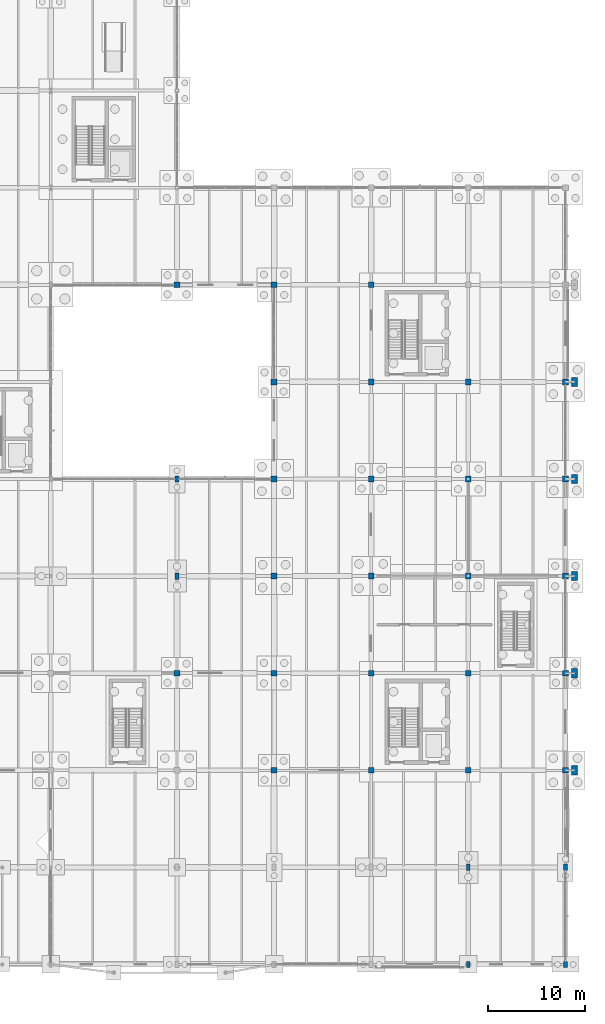
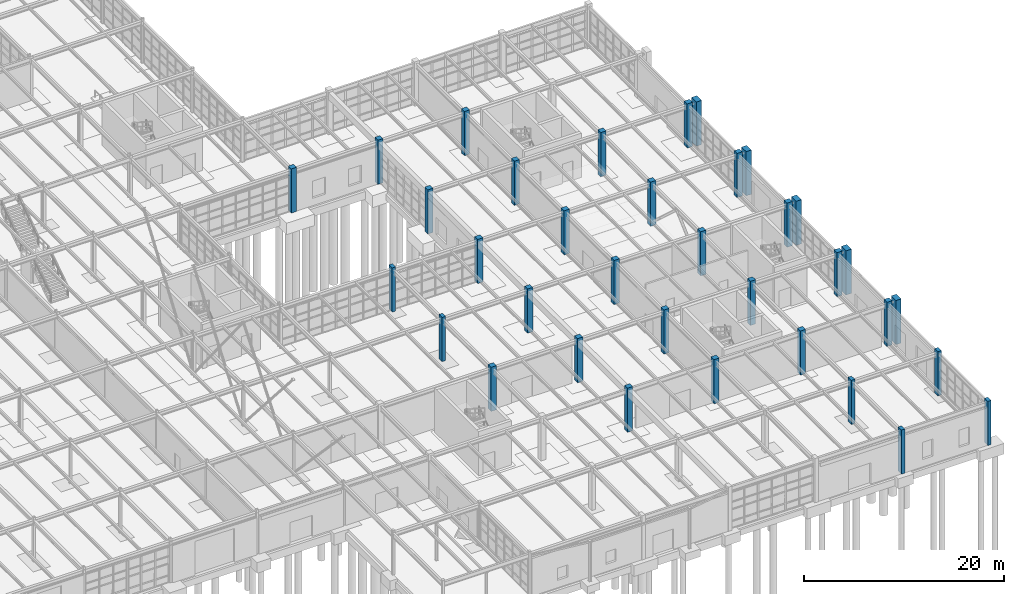
# One storey, part 27 of 145: 35 columns.
"""IFC4 building model written with IfcOpenShell, lengths in metres."""

from ifc_helpers import new_model, si_unit, direction, frame, origin, origin_2d, place, context, subcontext, project, spatial, rectangle, extrude, material, material_profile, profile_set, type_object, element, save


model = new_model("IFC4")

# Units and contexts
model_context = context("Model", 3, precision=1e-05, world=origin(), true_north=direction((0.0, 1.0)))
body_context = subcontext(model_context, "Body", "Model", "MODEL_VIEW")
ifc_project = project(units=[si_unit("LENGTHUNIT", "METRE"), si_unit("AREAUNIT", "SQUARE_METRE"), si_unit("VOLUMEUNIT", "CUBIC_METRE"), si_unit("PLANEANGLEUNIT", "RADIAN"), si_unit("MASSUNIT", "GRAM", prefix="KILO"), si_unit("THERMODYNAMICTEMPERATUREUNIT", "KELVIN"), si_unit("POWERUNIT", "WATT")], contexts=[model_context])

# Site, building, storey
site_placement = place(None, origin())
site = spatial("IfcSite", under=ifc_project, at=site_placement, CompositionType="ELEMENT")
building_placement = place(site_placement, origin())
building = spatial("IfcBuilding", under=site, at=building_placement, Name="Korenveer Ferry Terminal", CompositionType="ELEMENT")
storey_placement = place(building_placement, origin())
storey = spatial("IfcBuildingStorey", under=building, at=storey_placement, Name="L00", CompositionType="ELEMENT", Elevation=0.0)

# Columns
ifc_material_1 = material(Name="Concrete C45/55", Category="concrete")
ifc_material_profile_1 = material_profile(ifc_material_1, rectangle(XDim=0.39990234375, YDim=0.64990234375, at=origin_2d()), Name="RC 400x650")
ifc_profile_set_1 = profile_set([ifc_material_profile_1], Name="Concrete C45/55")
column_type_1 = type_object("IfcColumnType", Name="STR-COL-RC400X650", PredefinedType="COLUMN", material=ifc_profile_set_1)
for number, where, z_axis, x_axis, name in (
    (1, (136.0, 40.0, 0.0), (0.0, 0.0, 1.0), (1.0, 0.0, 0.0), "Column COL-L00-X136-Y40"),
    (2, (136.0, 50.0, 0.0), (0.0, 0.0, 1.0), (1.0, 0.0, 0.0), "Column COL-L00-X136-Y50"),
    (3, (166.0, 0.0, 0.0), (0.0, 0.0, 1.0), (1.0, 0.0, 0.0), "Column COL-L00-X166-Y0"),
    (4, (166.0, 10.0, 0.0), (0.0, 0.0, 1.0), (1.0, 0.0, 0.0), "Column COL-L00-X166-Y10"),
    (5, (176.0, 0.0, 0.0), (0.0, 0.0, 1.0), (1.0, 0.0, 0.0), "Column COL-L00-X176-Y0"),
    (6, (176.0, 10.0, 0.0), (0.0, 0.0, 1.0), (1.0, 0.0, 0.0), "Column COL-L00-X176-Y10"),
):
    element("IfcColumn", number, at=place(storey_placement, frame(where, z_axis=z_axis, x_axis=x_axis)), inside=storey, type_object=column_type_1, Name=name, PredefinedType="COLUMN", context=body_context, shape_type="SweptSolid", body=[
        extrude(rectangle(XDim=0.39990234375, YDim=0.64990234375, at=origin_2d()), origin(), (0.0, 0.0, 1.0), 5.39990234375),
    ])
ifc_material_profile_2 = material_profile(ifc_material_1, rectangle(XDim=0.60009765625, YDim=0.60009765625, at=origin_2d()), Name="RC 600x600")
ifc_profile_set_2 = profile_set([ifc_material_profile_2], Name="Concrete C45/55")
column_type_2 = type_object("IfcColumnType", Name="STR-COL-RC600", PredefinedType="COLUMN", material=ifc_profile_set_2)
for number, where, z_axis, x_axis, name in (
    (7, (136.0, 30.0, 0.0), (0.0, 0.0, 1.0), (1.0, 0.0, 0.0), "Column COL-L00-X136-Y30"),
    (8, (136.0, 70.0, 0.0), (0.0, 0.0, 1.0), (1.0, 0.0, 0.0), "Column COL-L00-X136-Y70"),
    (9, (146.0, 20.0, 0.0), (0.0, 0.0, 1.0), (1.0, 0.0, 0.0), "Column COL-L00-X146-Y20"),
    (10, (146.0, 30.0, 0.0), (0.0, 0.0, 1.0), (1.0, 0.0, 0.0), "Column COL-L00-X146-Y30"),
    (11, (146.0, 40.0, 0.0), (0.0, 0.0, 1.0), (1.0, 0.0, 0.0), "Column COL-L00-X146-Y40"),
    (12, (146.0, 50.0, 0.0), (0.0, 0.0, 1.0), (1.0, 0.0, 0.0), "Column COL-L00-X146-Y50"),
    (13, (146.0, 60.0, 0.0), (0.0, 0.0, 1.0), (1.0, 0.0, 0.0), "Column COL-L00-X146-Y60"),
    (14, (146.0, 70.0, 0.0), (0.0, 0.0, 1.0), (1.0, 0.0, 0.0), "Column COL-L00-X146-Y70"),
    (15, (156.0, 20.0, 0.0), (0.0, 0.0, 1.0), (1.0, 0.0, 0.0), "Column COL-L00-X156-Y20"),
    (16, (156.0, 30.0, 0.0), (0.0, 0.0, 1.0), (1.0, 0.0, 0.0), "Column COL-L00-X156-Y30"),
    (17, (156.0, 40.0, 0.0), (0.0, 0.0, 1.0), (1.0, 0.0, 0.0), "Column COL-L00-X156-Y40"),
    (18, (156.0, 50.0, 0.0), (0.0, 0.0, 1.0), (1.0, 0.0, 0.0), "Column COL-L00-X156-Y50"),
    (19, (156.0, 60.0, 0.0), (0.0, 0.0, 1.0), (1.0, 0.0, 0.0), "Column COL-L00-X156-Y60"),
    (20, (156.0, 70.0, 0.0), (0.0, 0.0, 1.0), (1.0, 0.0, 0.0), "Column COL-L00-X156-Y70"),
    (21, (166.0, 20.0, 0.0), (0.0, 0.0, 1.0), (1.0, 0.0, 0.0), "Column COL-L00-X166-Y20"),
    (22, (166.0, 30.0, 0.0), (0.0, 0.0, 1.0), (1.0, 0.0, 0.0), "Column COL-L00-X166-Y30"),
    (23, (166.0, 40.0, 0.0), (0.0, 0.0, 1.0), (1.0, 0.0, 0.0), "Column COL-L00-X166-Y40"),
    (24, (166.0, 50.0, 0.0), (0.0, 0.0, 1.0), (1.0, 0.0, 0.0), "Column COL-L00-X166-Y50"),
    (25, (166.0, 60.0, 0.0), (0.0, 0.0, 1.0), (1.0, 0.0, 0.0), "Column COL-L00-X166-Y60"),
    (26, (176.0, 20.0, 0.0), (0.0, 0.0, 1.0), (1.0, 0.0, 0.0), "Column COL-L00-X176-Y20"),
    (27, (176.0, 30.0, 0.0), (0.0, 0.0, 1.0), (1.0, 0.0, 0.0), "Column COL-L00-X176-Y30"),
    (28, (176.0, 40.0, 0.0), (0.0, 0.0, 1.0), (1.0, 0.0, 0.0), "Column COL-L00-X176-Y40"),
    (29, (176.0, 50.0, 0.0), (0.0, 0.0, 1.0), (1.0, 0.0, 0.0), "Column COL-L00-X176-Y50"),
    (30, (176.0, 60.0, 0.0), (0.0, 0.0, 1.0), (1.0, 0.0, 0.0), "Column COL-L00-X176-Y60"),
):
    element("IfcColumn", number, at=place(storey_placement, frame(where, z_axis=z_axis, x_axis=x_axis)), inside=storey, type_object=column_type_2, Name=name, PredefinedType="COLUMN", context=body_context, shape_type="SweptSolid", body=[
        extrude(rectangle(XDim=0.60009765625, YDim=0.60009765625, at=origin_2d()), origin(), (0.0, 0.0, 1.0), 5.39990234375),
    ])
ifc_material_2 = material(Name="Precast concrete C45/55", Category="concrete")
ifc_material_profile_3 = material_profile(ifc_material_2, rectangle(XDim=0.60009765625, YDim=0.949951171875, at=origin_2d()), Name="RC 600x950")
ifc_profile_set_3 = profile_set([ifc_material_profile_3], Name="Precast concrete C45/55")
column_type_3 = type_object("IfcColumnType", Name="STR-PIL-STONE600", PredefinedType="PILASTER", material=ifc_profile_set_3)
for number, where, z_axis, x_axis, name in (
    (31, (176.949951171875, 20.0, 0.0), (0.0, 0.0, 1.0), (1.0, 0.0, 0.0), "Buttress pilaster 19"),
    (32, (176.949951171875, 30.0, 0.0), (0.0, 0.0, 1.0), (1.0, 0.0, 0.0), "Buttress pilaster 22"),
    (33, (176.949951171875, 40.0, 0.0), (0.0, 0.0, 1.0), (1.0, 0.0, 0.0), "Buttress pilaster 25"),
    (34, (176.949951171875, 50.0, 0.0), (0.0, 0.0, 1.0), (1.0, 0.0, 0.0), "Buttress pilaster 28"),
    (35, (176.949951171875, 60.0, 0.0), (0.0, 0.0, 1.0), (1.0, 0.0, 0.0), "Buttress pilaster 31"),
):
    element("IfcColumn", number, at=place(storey_placement, frame(where, z_axis=z_axis, x_axis=x_axis)), inside=storey, type_object=column_type_3, Name=name, PredefinedType="PILASTER", context=body_context, shape_type="SweptSolid", body=[
        extrude(rectangle(XDim=0.60009765625, YDim=0.949951171875, at=origin_2d()), origin(), (0.0, 0.0, 1.0), 5.39990234375),
    ])

save(model, "model.ifc")
